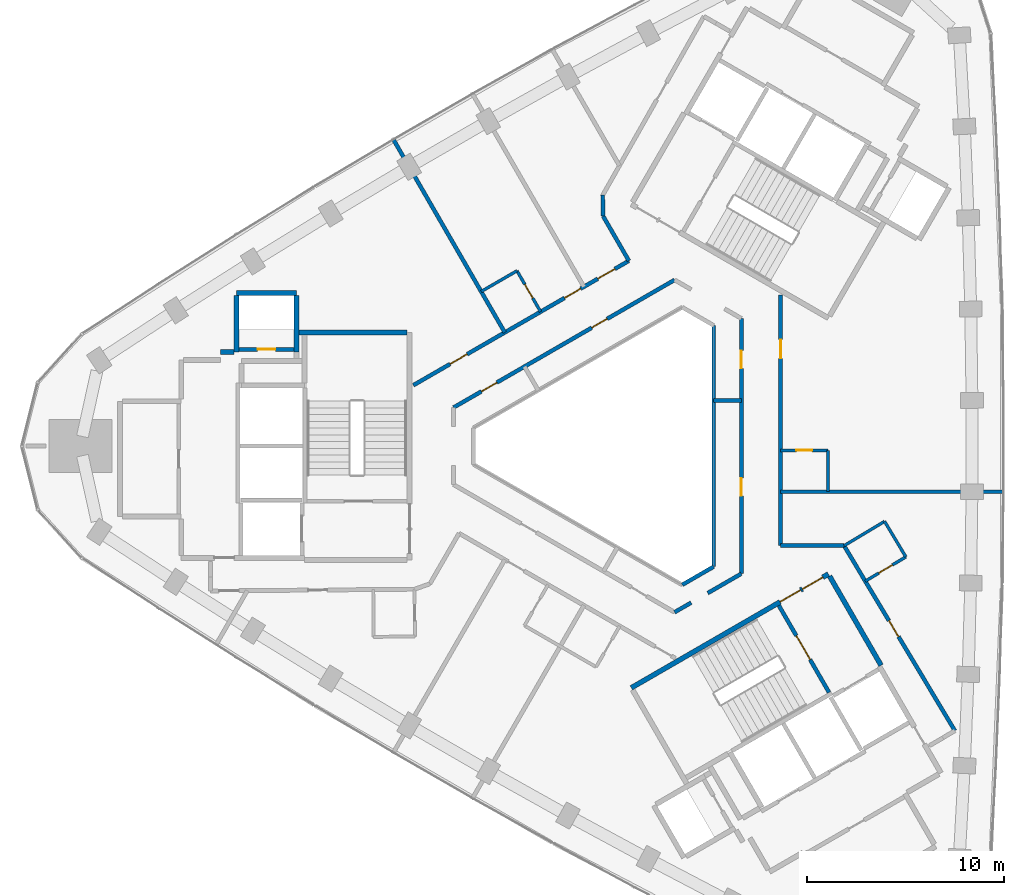
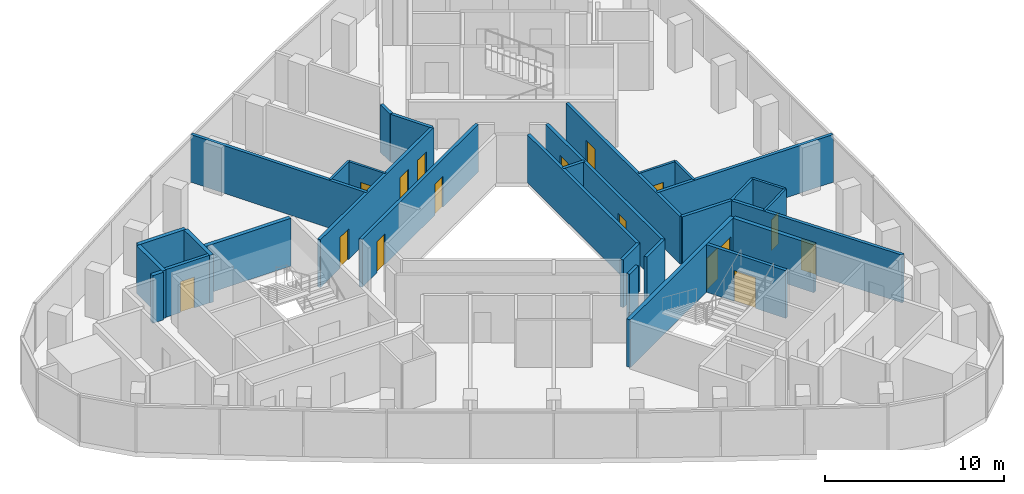
# One storey, part 9 of 12: 31 walls, 16 doors, 16 openings.
"""IFC4 building model written with IfcOpenShell, lengths in metres."""

from ifc_helpers import new_model, si_unit, direction, frame, frame_2d, origin, place, context, subcontext, project, spatial, rectangle, extrude, material, layer, layer_set, type_object, element, fill, save


model = new_model("IFC4")

# Units and contexts
model_context = context("Model", 3, precision=1e-05, world=origin(), true_north=direction((0.0, 1.0)))
body_context = subcontext(model_context, "Body", "Model", "MODEL_VIEW")
ifc_project = project(units=[si_unit("LENGTHUNIT", "METRE"), si_unit("AREAUNIT", "SQUARE_METRE"), si_unit("VOLUMEUNIT", "CUBIC_METRE"), si_unit("PLANEANGLEUNIT", "RADIAN"), si_unit("MASSUNIT", "GRAM", prefix="KILO")], contexts=[model_context])

# Site, building, storey
site_placement = place(None, origin())
site = spatial("IfcSite", under=ifc_project, at=site_placement, CompositionType="ELEMENT")
building_placement = place(site_placement, origin())
building = spatial("IfcBuilding", under=site, at=building_placement, Name="Tamra Quay Hotel Tower", CompositionType="ELEMENT")
storey_placement = place(building_placement, frame((0.0, 0.0, 179.199951171875)))
storey = spatial("IfcBuildingStorey", under=building, at=storey_placement, Name="L44", CompositionType="ELEMENT", Elevation=179.199951171875)

# Wall, opening, door
ifc_material_1 = material(Name="Concrete M70", Category="concrete")
ifc_layer_1 = layer(ifc_material_1, 0.199951171875)
ifc_layer_set_1 = layer_set([ifc_layer_1], Name="Concrete M70 core wall 200")
wall_type_1 = type_object("IfcWallType", Name="Concrete M70 core wall 200", PredefinedType="SHEAR", material=ifc_layer_set_1)
wall_1_placement = place(storey_placement, frame((-19.51123046875, 4.91015625, 0.0), z_axis=(0.0, 0.0, 1.0), x_axis=(1.0, 0.0, 0.0)))
wall_1 = element("IfcWall", 1, at=wall_1_placement, inside=storey, type_object=wall_type_1, Name="CW2", PredefinedType="SHEAR", context=body_context, shape_type="SweptSolid", body=[
    extrude(rectangle(XDim=2.7978515625, YDim=0.199951171875, at=frame_2d((1.39892578125, 0.0))), origin(), (0.0, 0.0, 1.0), 3.25),
])
opening_1_placement = place(wall_1_placement, frame((0.948974609375, 0.0, 0.0)))
opening_1 = element("IfcOpeningElement", 2, at=opening_1_placement, cuts=wall_1, Name="Opening D1", PredefinedType="OPENING", context=body_context, shape_type="SweptSolid", body=[
    extrude(rectangle(XDim=0.89990234375, YDim=2.10009765625, at=frame_2d((0.449951171875, 1.050048828125))), frame((0.0, 0.10986328125, 0.0), z_axis=(0.0, -1.0, 0.0), x_axis=(1.0, 0.0, 0.0)), (0.0, 0.0, 1.0), 0.219970703125),
])
ifc_material_2 = material(Name="Core door D1 900x2100 LH")
door_type_1 = type_object("IfcDoorType", Name="Core door D1 900x2100 LH", OperationType="NOTDEFINED", PredefinedType="DOOR", material=ifc_material_2)
door_1_placement = place(opening_1_placement, origin())
door_1 = element("IfcDoor", 3, at=door_1_placement, inside=storey, type_object=door_type_1, Name="D1", OperationType="SINGLE_SWING_LEFT", OverallHeight=2.10009765625, OverallWidth=0.89990234375, PredefinedType="DOOR", context=body_context, shape_type="SweptSolid", body=[
    extrude(rectangle(XDim=0.89990234375, YDim=2.10009765625, at=frame_2d((0.449951171875, 1.050048828125))), frame((0.0, 0.02490234375, 0.0), z_axis=(0.0, -1.0, 0.0), x_axis=(1.0, 0.0, 0.0)), (0.0, 0.0, 1.0), 0.050048828125),
])
fill(opening_1, door_1)

wall_2_placement = place(storey_placement, frame((7.906494140625, -8.094482421875, 0.0), z_axis=(0.0, 0.0, 1.0), x_axis=(0.500027839223, -0.866009330205, 0.0)))
wall_2 = element("IfcWall", 4, at=wall_2_placement, inside=storey, type_object=wall_type_1, Name="CW2", PredefinedType="SHEAR", context=body_context, shape_type="SweptSolid", body=[
    extrude(rectangle(XDim=5.097900390625, YDim=0.199951171875, at=frame_2d((2.548828125, 0.0))), origin(), (0.0, 0.0, 1.0), 3.25),
])
opening_2_placement = place(wall_2_placement, frame((1.77392578125, 0.0, 0.0)))
opening_2 = element("IfcOpeningElement", 5, at=opening_2_placement, cuts=wall_2, Name="Opening FD2", PredefinedType="OPENING", context=body_context, shape_type="SweptSolid", body=[
    extrude(rectangle(XDim=1.39990234375, YDim=2.10009765625, at=frame_2d((0.699951171875, 1.050048828125))), frame((0.0, 0.10986328125, 0.0), z_axis=(0.0, -1.0, 0.0), x_axis=(1.0, 0.0, 0.0)), (0.0, 0.0, 1.0), 0.219970703125),
])
ifc_material_3 = material(Name="Core door FD2 1400x2100 RH")
door_type_2 = type_object("IfcDoorType", Name="Core door FD2 1400x2100 RH", OperationType="NOTDEFINED", PredefinedType="DOOR", material=ifc_material_3)
door_2_placement = place(opening_2_placement, origin())
door_2 = element("IfcDoor", 6, at=door_2_placement, inside=storey, type_object=door_type_2, Name="FD2", OperationType="SINGLE_SWING_RIGHT", OverallHeight=2.10009765625, OverallWidth=1.39990234375, PredefinedType="DOOR", context=body_context, shape_type="SweptSolid", body=[
    extrude(rectangle(XDim=1.39990234375, YDim=2.10009765625, at=frame_2d((0.699951171875, 1.050048828125))), frame((0.0, 0.02490234375, 0.0), z_axis=(0.0, -1.0, 0.0), x_axis=(1.0, 0.0, 0.0)), (0.0, 0.0, 1.0), 0.050048828125),
])
fill(opening_2, door_2)

# Walls
ifc_layer_2 = layer(ifc_material_1, 0.25)
ifc_layer_set_2 = layer_set([ifc_layer_2], Name="Concrete M70 core wall 250")
wall_type_2 = type_object("IfcWallType", Name="Concrete M70 core wall 250", PredefinedType="SHEAR", material=ifc_layer_set_2)
wall_3_placement = place(storey_placement, frame((-16.47216796875, 5.77490234375, 0.0), z_axis=(0.0, 0.0, 1.0), x_axis=(1.0, 0.0, 0.0)))
element("IfcWall", 7, at=wall_3_placement, inside=storey, type_object=wall_type_2, Name="CW1", PredefinedType="SHEAR", context=body_context, shape_type="SweptSolid", body=[
    extrude(rectangle(XDim=5.509521484375, YDim=0.25, at=frame_2d((2.7548828125, 0.0))), origin(), (0.0, 0.0, 1.0), 3.25),
])
wall_4_placement = place(storey_placement, frame((-19.63720703125, 7.77490234375, 0.0), z_axis=(0.0, 0.0, 1.0), x_axis=(1.0, 0.0, 0.0)))
element("IfcWall", 8, at=wall_4_placement, inside=storey, type_object=wall_type_2, Name="CW1", PredefinedType="SHEAR", context=body_context, shape_type="SweptSolid", body=[
    extrude(rectangle(XDim=3.0498046875, YDim=0.25, at=frame_2d((1.52490234375, 0.0))), origin(), (0.0, 0.0, 1.0), 3.25),
])
for number, where, z_axis, x_axis, name in (
    (9, (-16.58740234375, 7.649658203125, 0.0), (0.0, 0.0, 1.0), (0.0, -1.0, 0.0), "CW1"),
    (10, (-19.63720703125, 4.784912109375, 0.0), (0.0, 0.0, 1.0), (0.0, 1.0, 0.0), "CW1"),
):
    element("IfcWall", number, at=place(storey_placement, frame(where, z_axis=z_axis, x_axis=x_axis)), inside=storey, type_object=wall_type_2, Name=name, PredefinedType="SHEAR", context=body_context, shape_type="SweptSolid", body=[
        extrude(rectangle(XDim=2.86474609375, YDim=0.25, at=frame_2d((1.432373046875, 0.0))), origin(), (0.0, 0.0, 1.0), 3.25),
    ])
wall_5_placement = place(storey_placement, frame((-20.447265625, 4.784912109375, 0.0), z_axis=(0.0, 0.0, 1.0), x_axis=(1.0, 0.0, 0.0)))
element("IfcWall", 11, at=wall_5_placement, inside=storey, type_object=wall_type_2, Name="CW1", PredefinedType="SHEAR", context=body_context, shape_type="SweptSolid", body=[
    extrude(rectangle(XDim=0.6845703125, YDim=0.25, at=frame_2d((0.34228515625, 0.0))), origin(), (0.0, 0.0, 1.0), 3.25),
])

# Wall, openings, doors
wall_6_placement = place(storey_placement, frame((0.417236328125, -12.27294921875, 0.0), z_axis=(0.0, 0.0, 1.0), x_axis=(0.866021906294, 0.500006057782, 0.0)))
wall_6 = element("IfcWall", 12, at=wall_6_placement, inside=storey, type_object=wall_type_2, Name="CW1", PredefinedType="SHEAR", context=body_context, shape_type="SweptSolid", body=[
    extrude(rectangle(XDim=11.550048828125, YDim=0.25, at=frame_2d((5.77490234375, 0.0))), origin(), (0.0, 0.0, 1.0), 3.25),
])
opening_3_placement = place(wall_6_placement, frame((10.024658203125, 0.0, 0.0)))
opening_3 = element("IfcOpeningElement", 13, at=opening_3_placement, cuts=wall_6, Name="Opening FD1", PredefinedType="OPENING", context=body_context, shape_type="SweptSolid", body=[
    extrude(rectangle(XDim=1.199951171875, YDim=2.10009765625, at=frame_2d((0.60009765625, 1.050048828125))), frame((0.0, 0.135009765625, 0.0), z_axis=(0.0, -1.0, 0.0), x_axis=(1.0, 0.0, 0.0)), (0.0, 0.0, 1.0), 0.27001953125),
])
opening_4_placement = place(wall_6_placement, frame((8.724609375, 0.0, 0.0)))
opening_4 = element("IfcOpeningElement", 14, at=opening_4_placement, cuts=wall_6, Name="Opening FD1", PredefinedType="OPENING", context=body_context, shape_type="SweptSolid", body=[
    extrude(rectangle(XDim=1.199951171875, YDim=2.10009765625, at=frame_2d((0.60009765625, 1.050048828125))), frame((0.0, 0.135009765625, 0.0), z_axis=(0.0, -1.0, 0.0), x_axis=(1.0, 0.0, 0.0)), (0.0, 0.0, 1.0), 0.27001953125),
])
ifc_material_4 = material(Name="Core door FD1 1200x2100 LH")
door_type_3 = type_object("IfcDoorType", Name="Core door FD1 1200x2100 LH", OperationType="NOTDEFINED", PredefinedType="DOOR", material=ifc_material_4)
door_3_placement = place(opening_3_placement, origin())
door_3 = element("IfcDoor", 15, at=door_3_placement, inside=storey, type_object=door_type_3, Name="FD1", OperationType="SINGLE_SWING_LEFT", OverallHeight=2.10009765625, OverallWidth=1.199951171875, PredefinedType="DOOR", context=body_context, shape_type="SweptSolid", body=[
    extrude(rectangle(XDim=1.199951171875, YDim=2.10009765625, at=frame_2d((0.60009765625, 1.050048828125))), frame((0.0, 0.02490234375, 0.0), z_axis=(0.0, -1.0, 0.0), x_axis=(1.0, 0.0, 0.0)), (0.0, 0.0, 1.0), 0.050048828125),
])
fill(opening_3, door_3)
ifc_material_5 = material(Name="Core door FD1 1200x2100 RH")
door_type_4 = type_object("IfcDoorType", Name="Core door FD1 1200x2100 RH", OperationType="NOTDEFINED", PredefinedType="DOOR", material=ifc_material_5)
door_4_placement = place(opening_4_placement, origin())
door_4 = element("IfcDoor", 16, at=door_4_placement, inside=storey, type_object=door_type_4, Name="FD1", OperationType="SINGLE_SWING_RIGHT", OverallHeight=2.10009765625, OverallWidth=1.199951171875, PredefinedType="DOOR", context=body_context, shape_type="SweptSolid", body=[
    extrude(rectangle(XDim=1.199951171875, YDim=2.10009765625, at=frame_2d((0.60009765625, 1.050048828125))), frame((0.0, 0.02490234375, 0.0), z_axis=(0.0, -1.0, 0.0), x_axis=(1.0, 0.0, 0.0)), (0.0, 0.0, 1.0), 0.050048828125),
])
fill(opening_4, door_4)

# Wall
wall_7_placement = place(storey_placement, frame((10.482666015625, -6.6064453125, 0.0), z_axis=(0.0, 0.0, 1.0), x_axis=(0.49999885962, -0.866026062182, 0.0)))
element("IfcWall", 17, at=wall_7_placement, inside=storey, type_object=wall_type_2, Name="CW1", PredefinedType="SHEAR", context=body_context, shape_type="SweptSolid", body=[
    extrude(rectangle(XDim=5.224609375, YDim=0.25, at=frame_2d((2.6123046875, 0.0))), origin(), (0.0, 0.0, 1.0), 3.25),
])

# Wall, openings, doors
ifc_material_6 = material(Name="Partition corridor wall")
ifc_layer_3 = layer(ifc_material_6, 0.199951171875)
ifc_layer_set_3 = layer_set([ifc_layer_3], Name="Partition corridor wall")
wall_type_3 = type_object("IfcWallType", Name="Partition corridor wall", PredefinedType="PARTITIONING", material=ifc_layer_set_3)
wall_8_placement = place(storey_placement, frame((-10.65234375, 3.087890625, 0.0), z_axis=(0.0, 0.0, 1.0), x_axis=(0.866031821623, 0.499988883812, 0.0)))
wall_8 = element("IfcWall", 18, at=wall_8_placement, inside=storey, type_object=wall_type_3, Name="W-C", PredefinedType="PARTITIONING", context=body_context, shape_type="SweptSolid", body=[
    extrude(rectangle(XDim=12.638427734375, YDim=0.199951171875, at=frame_2d((6.3193359375, 0.0))), origin(), (0.0, 0.0, 1.0), 3.25),
])
opening_5_placement = place(wall_8_placement, frame((10.8134765625, 0.0, 0.0)))
opening_5 = element("IfcOpeningElement", 19, at=opening_5_placement, cuts=wall_8, Name="Opening L44-D006", PredefinedType="OPENING", context=body_context, shape_type="SweptSolid", body=[
    extrude(rectangle(XDim=1.0, YDim=2.10009765625, at=frame_2d((0.5, 1.050048828125))), frame((0.0, 0.10986328125, 0.0), z_axis=(0.0, -1.0, 0.0), x_axis=(1.0, 0.0, 0.0)), (0.0, 0.0, 1.0), 0.219970703125),
])
opening_6_placement = place(wall_8_placement, frame((8.86181640625, 0.0, 0.0)))
opening_6 = element("IfcOpeningElement", 20, at=opening_6_placement, cuts=wall_8, Name="Opening L44-D007", PredefinedType="OPENING", context=body_context, shape_type="SweptSolid", body=[
    extrude(rectangle(XDim=0.949951171875, YDim=2.10009765625, at=frame_2d((0.47509765625, 1.050048828125))), frame((0.0, 0.10986328125, 0.0), z_axis=(0.0, -1.0, 0.0), x_axis=(1.0, 0.0, 0.0)), (0.0, 0.0, 1.0), 0.219970703125),
])
opening_7_placement = place(wall_8_placement, frame((2.152587890625, 0.0, 0.0)))
opening_7 = element("IfcOpeningElement", 21, at=opening_7_placement, cuts=wall_8, Name="Opening L44-D009", PredefinedType="OPENING", context=body_context, shape_type="SweptSolid", body=[
    extrude(rectangle(XDim=1.0, YDim=2.10009765625, at=frame_2d((0.5, 1.050048828125))), frame((0.0, 0.10986328125, 0.0), z_axis=(0.0, -1.0, 0.0), x_axis=(1.0, 0.0, 0.0)), (0.0, 0.0, 1.0), 0.219970703125),
])
ifc_material_7 = material(Name="Door guest room 1000x2100")
door_type_5 = type_object("IfcDoorType", Name="Door guest room 1000x2100", OperationType="NOTDEFINED", PredefinedType="DOOR", material=ifc_material_7)
door_5_placement = place(opening_5_placement, origin())
door_5 = element("IfcDoor", 22, at=door_5_placement, inside=storey, type_object=door_type_5, Name="L44-D006", OperationType="SINGLE_SWING_LEFT", OverallHeight=2.10009765625, OverallWidth=1.0, PredefinedType="DOOR", context=body_context, shape_type="SweptSolid", body=[
    extrude(rectangle(XDim=1.0, YDim=2.10009765625, at=frame_2d((0.5, 1.050048828125))), frame((0.0, 0.02490234375, 0.0), z_axis=(0.0, -1.0, 0.0), x_axis=(1.0, 0.0, 0.0)), (0.0, 0.0, 1.0), 0.050048828125),
])
fill(opening_5, door_5)
door_6_placement = place(opening_7_placement, origin())
door_6 = element("IfcDoor", 23, at=door_6_placement, inside=storey, type_object=door_type_5, Name="L44-D009", OperationType="SINGLE_SWING_LEFT", OverallHeight=2.10009765625, OverallWidth=1.0, PredefinedType="DOOR", context=body_context, shape_type="SweptSolid", body=[
    extrude(rectangle(XDim=1.0, YDim=2.10009765625, at=frame_2d((0.5, 1.050048828125))), frame((0.0, 0.02490234375, 0.0), z_axis=(0.0, -1.0, 0.0), x_axis=(1.0, 0.0, 0.0)), (0.0, 0.0, 1.0), 0.050048828125),
])
fill(opening_7, door_6)
ifc_material_8 = material(Name="Door guest room 950x2100")
door_type_6 = type_object("IfcDoorType", Name="Door guest room 950x2100", OperationType="NOTDEFINED", PredefinedType="DOOR", material=ifc_material_8)
door_7_placement = place(opening_6_placement, origin())
door_7 = element("IfcDoor", 24, at=door_7_placement, inside=storey, type_object=door_type_6, Name="L44-D007", OperationType="SINGLE_SWING_LEFT", OverallHeight=2.10009765625, OverallWidth=0.949951171875, PredefinedType="DOOR", context=body_context, shape_type="SweptSolid", body=[
    extrude(rectangle(XDim=0.949951171875, YDim=2.10009765625, at=frame_2d((0.47509765625, 1.050048828125))), frame((0.0, 0.02490234375, 0.0), z_axis=(0.0, -1.0, 0.0), x_axis=(1.0, 0.0, 0.0)), (0.0, 0.0, 1.0), 0.050048828125),
])
fill(opening_6, door_7)

wall_9_placement = place(storey_placement, frame((-8.612060546875, 1.9560546875, 0.0), z_axis=(0.0, 0.0, 1.0), x_axis=(0.866034386606, 0.499984440973, 0.0)))
wall_9 = element("IfcWall", 25, at=wall_9_placement, inside=storey, type_object=wall_type_3, Name="W-C", PredefinedType="PARTITIONING", context=body_context, shape_type="SweptSolid", body=[
    extrude(rectangle(XDim=12.96044921875, YDim=0.199951171875, at=frame_2d((6.480224609375, 0.0))), origin(), (0.0, 0.0, 1.0), 3.25),
])
opening_8_placement = place(wall_9_placement, frame((8.10498046875, 0.0, 0.0)))
opening_8 = element("IfcOpeningElement", 26, at=opening_8_placement, cuts=wall_9, Name="Opening L44-D019", PredefinedType="OPENING", context=body_context, shape_type="SweptSolid", body=[
    extrude(rectangle(XDim=0.89990234375, YDim=2.10009765625, at=frame_2d((0.449951171875, 1.050048828125))), frame((0.0, 0.10986328125, 0.0), z_axis=(0.0, -1.0, 0.0), x_axis=(1.0, 0.0, 0.0)), (0.0, 0.0, 1.0), 0.219970703125),
])
opening_9_placement = place(wall_9_placement, frame((1.63671875, 0.0, 0.0)))
opening_9 = element("IfcOpeningElement", 27, at=opening_9_placement, cuts=wall_9, Name="Opening L44-D020", PredefinedType="OPENING", context=body_context, shape_type="SweptSolid", body=[
    extrude(rectangle(XDim=0.89990234375, YDim=2.10009765625, at=frame_2d((0.449951171875, 1.050048828125))), frame((0.0, 0.10986328125, 0.0), z_axis=(0.0, -1.0, 0.0), x_axis=(1.0, 0.0, 0.0)), (0.0, 0.0, 1.0), 0.219970703125),
])
ifc_material_9 = material(Name="Door service room 900x2100")
door_type_7 = type_object("IfcDoorType", Name="Door service room 900x2100", OperationType="NOTDEFINED", PredefinedType="DOOR", material=ifc_material_9)
door_8_placement = place(opening_8_placement, frame((0.89990234375, 0.0, 0.0), z_axis=(0.0, 0.0, 1.0), x_axis=(-1.0, 0.0, 0.0)))
door_8 = element("IfcDoor", 28, at=door_8_placement, inside=storey, type_object=door_type_7, Name="L44-D019", OperationType="SINGLE_SWING_LEFT", OverallHeight=2.10009765625, OverallWidth=0.89990234375, PredefinedType="DOOR", context=body_context, shape_type="SweptSolid", body=[
    extrude(rectangle(XDim=0.89990234375, YDim=2.10009765625, at=frame_2d((0.449951171875, 1.050048828125))), frame((0.0, 0.02490234375, 0.0), z_axis=(0.0, -1.0, 0.0), x_axis=(1.0, 0.0, 0.0)), (0.0, 0.0, 1.0), 0.050048828125),
])
fill(opening_8, door_8)
door_9_placement = place(opening_9_placement, frame((0.89990234375, 0.0, 0.0), z_axis=(0.0, 0.0, 1.0), x_axis=(-1.0, 0.0, 0.0)))
door_9 = element("IfcDoor", 29, at=door_9_placement, inside=storey, type_object=door_type_7, Name="L44-D020", OperationType="SINGLE_SWING_LEFT", OverallHeight=2.10009765625, OverallWidth=0.89990234375, PredefinedType="DOOR", context=body_context, shape_type="SweptSolid", body=[
    extrude(rectangle(XDim=0.89990234375, YDim=2.10009765625, at=frame_2d((0.449951171875, 1.050048828125))), frame((0.0, 0.02490234375, 0.0), z_axis=(0.0, -1.0, 0.0), x_axis=(1.0, 0.0, 0.0)), (0.0, 0.0, 1.0), 0.050048828125),
])
fill(opening_9, door_9)

# Walls
wall_10_placement = place(storey_placement, frame((-1.037109375, 12.740966796875, 0.0), z_axis=(0.0, 0.0, 1.0), x_axis=(0.017040362824, -0.999854802476, 0.0)))
element("IfcWall", 30, at=wall_10_placement, inside=storey, type_object=wall_type_3, Name="W-C", PredefinedType="PARTITIONING", context=body_context, shape_type="SweptSolid", body=[
    extrude(rectangle(XDim=1.060302734375, YDim=0.199951171875, at=frame_2d((0.5302734375, 0.0))), origin(), (0.0, 0.0, 1.0), 3.25),
])
wall_11_placement = place(storey_placement, frame((-1.01904296875, 11.679931640625, 0.0), z_axis=(0.0, 0.0, 1.0), x_axis=(0.499921088291, -0.866070958688, 0.0)))
element("IfcWall", 31, at=wall_11_placement, inside=storey, type_object=wall_type_3, Name="W-C", PredefinedType="PARTITIONING", context=body_context, shape_type="SweptSolid", body=[
    extrude(rectangle(XDim=2.62451171875, YDim=0.199951171875, at=frame_2d((1.312255859375, 0.0))), origin(), (0.0, 0.0, 1.0), 3.25),
])
wall_12_placement = place(storey_placement, frame((2.6123046875, -8.4365234375, 0.0), z_axis=(0.0, 0.0, 1.0), x_axis=(0.866026830048, 0.499997529631, 0.0)))
element("IfcWall", 32, at=wall_12_placement, inside=storey, type_object=wall_type_3, Name="W-C", PredefinedType="PARTITIONING", context=body_context, shape_type="SweptSolid", body=[
    extrude(rectangle(XDim=0.97314453125, YDim=0.199951171875, at=frame_2d((0.486572265625, 0.0))), origin(), (0.0, 0.0, 1.0), 3.25),
])
wall_13_placement = place(storey_placement, frame((4.297119140625, -7.464111328125, 0.0), z_axis=(0.0, 0.0, 1.0), x_axis=(0.866026378386, 0.499998311937, 0.0)))
element("IfcWall", 33, at=wall_13_placement, inside=storey, type_object=wall_type_3, Name="W-C", PredefinedType="PARTITIONING", context=body_context, shape_type="SweptSolid", body=[
    extrude(rectangle(XDim=1.96630859375, YDim=0.199951171875, at=frame_2d((0.983154296875, 0.0))), origin(), (0.0, 0.0, 1.0), 3.25),
])

# Wall, openings, doors
wall_14_placement = place(storey_placement, frame((6.0, -6.48095703125, 0.0), z_axis=(0.0, 0.0, 1.0), x_axis=(0.0, 1.0, 0.0)))
wall_14 = element("IfcWall", 34, at=wall_14_placement, inside=storey, type_object=wall_type_3, Name="W-C", PredefinedType="PARTITIONING", context=body_context, shape_type="SweptSolid", body=[
    extrude(rectangle(XDim=12.9619140625, YDim=0.199951171875, at=frame_2d((6.48095703125, 0.0))), origin(), (0.0, 0.0, 1.0), 3.25),
])
opening_10_placement = place(wall_14_placement, frame((3.9560546875, 0.0, 0.0)))
opening_10 = element("IfcOpeningElement", 35, at=opening_10_placement, cuts=wall_14, Name="Opening L44-D017", PredefinedType="OPENING", context=body_context, shape_type="SweptSolid", body=[
    extrude(rectangle(XDim=0.89990234375, YDim=2.10009765625, at=frame_2d((0.449951171875, 1.050048828125))), frame((0.0, 0.10986328125, 0.0), z_axis=(0.0, -1.0, 0.0), x_axis=(1.0, 0.0, 0.0)), (0.0, 0.0, 1.0), 0.219970703125),
])
opening_11_placement = place(wall_14_placement, frame((10.425048828125, 0.0, 0.0)))
opening_11 = element("IfcOpeningElement", 36, at=opening_11_placement, cuts=wall_14, Name="Opening L44-D018", PredefinedType="OPENING", context=body_context, shape_type="SweptSolid", body=[
    extrude(rectangle(XDim=0.89990234375, YDim=2.10009765625, at=frame_2d((0.449951171875, 1.050048828125))), frame((0.0, 0.10986328125, 0.0), z_axis=(0.0, -1.0, 0.0), x_axis=(1.0, 0.0, 0.0)), (0.0, 0.0, 1.0), 0.219970703125),
])
door_10_placement = place(opening_10_placement, origin())
door_10 = element("IfcDoor", 37, at=door_10_placement, inside=storey, type_object=door_type_7, Name="L44-D017", OperationType="SINGLE_SWING_LEFT", OverallHeight=2.10009765625, OverallWidth=0.89990234375, PredefinedType="DOOR", context=body_context, shape_type="SweptSolid", body=[
    extrude(rectangle(XDim=0.89990234375, YDim=2.10009765625, at=frame_2d((0.449951171875, 1.050048828125))), frame((0.0, 0.02490234375, 0.0), z_axis=(0.0, -1.0, 0.0), x_axis=(1.0, 0.0, 0.0)), (0.0, 0.0, 1.0), 0.050048828125),
])
fill(opening_10, door_10)
door_11_placement = place(opening_11_placement, origin())
door_11 = element("IfcDoor", 38, at=door_11_placement, inside=storey, type_object=door_type_7, Name="L44-D018", OperationType="SINGLE_SWING_LEFT", OverallHeight=2.10009765625, OverallWidth=0.89990234375, PredefinedType="DOOR", context=body_context, shape_type="SweptSolid", body=[
    extrude(rectangle(XDim=0.89990234375, YDim=2.10009765625, at=frame_2d((0.449951171875, 1.050048828125))), frame((0.0, 0.02490234375, 0.0), z_axis=(0.0, -1.0, 0.0), x_axis=(1.0, 0.0, 0.0)), (0.0, 0.0, 1.0), 0.050048828125),
])
fill(opening_11, door_11)

# Wall, opening, door
wall_15_placement = place(storey_placement, frame((8.0, -5.05810546875, 0.0), z_axis=(0.0, 0.0, 1.0), x_axis=(0.0, 1.0, 0.0)))
wall_15 = element("IfcWall", 39, at=wall_15_placement, inside=storey, type_object=wall_type_3, Name="W-C", PredefinedType="PARTITIONING", context=body_context, shape_type="SweptSolid", body=[
    extrude(rectangle(XDim=12.739501953125, YDim=0.199951171875, at=frame_2d((6.36962890625, 0.0))), origin(), (0.0, 0.0, 1.0), 3.25),
])
opening_12_placement = place(wall_15_placement, frame((9.508056640625, 0.0, 0.0)))
opening_12 = element("IfcOpeningElement", 40, at=opening_12_placement, cuts=wall_15, Name="Opening L44-D003", PredefinedType="OPENING", context=body_context, shape_type="SweptSolid", body=[
    extrude(rectangle(XDim=0.949951171875, YDim=2.10009765625, at=frame_2d((0.47509765625, 1.050048828125))), frame((0.0, 0.10986328125, 0.0), z_axis=(0.0, -1.0, 0.0), x_axis=(1.0, 0.0, 0.0)), (0.0, 0.0, 1.0), 0.219970703125),
])
door_12_placement = place(opening_12_placement, frame((0.949951171875, 0.0, 0.0), z_axis=(0.0, 0.0, 1.0), x_axis=(-1.0, 0.0, 0.0)))
door_12 = element("IfcDoor", 41, at=door_12_placement, inside=storey, type_object=door_type_6, Name="L44-D003", OperationType="SINGLE_SWING_LEFT", OverallHeight=2.10009765625, OverallWidth=0.949951171875, PredefinedType="DOOR", context=body_context, shape_type="SweptSolid", body=[
    extrude(rectangle(XDim=0.949951171875, YDim=2.10009765625, at=frame_2d((0.47509765625, 1.050048828125))), frame((0.0, 0.02490234375, 0.0), z_axis=(0.0, -1.0, 0.0), x_axis=(1.0, 0.0, 0.0)), (0.0, 0.0, 1.0), 0.050048828125),
])
fill(opening_12, door_12)

# Wall
wall_16_placement = place(storey_placement, frame((8.0, -5.05810546875, 0.0), z_axis=(0.0, 0.0, 1.0), x_axis=(1.0, 0.0, 0.0)))
element("IfcWall", 42, at=wall_16_placement, inside=storey, type_object=wall_type_3, Name="W-C", PredefinedType="PARTITIONING", context=body_context, shape_type="SweptSolid", body=[
    extrude(rectangle(XDim=3.216064453125, YDim=0.199951171875, at=frame_2d((1.60791015625, 0.0))), origin(), (0.0, 0.0, 1.0), 3.25),
])

# Wall, opening, door
wall_17_placement = place(storey_placement, frame((11.216064453125, -5.05810546875, 0.0), z_axis=(0.0, 0.0, 1.0), x_axis=(0.51393500197, -0.857829128527, 0.0)))
wall_17 = element("IfcWall", 43, at=wall_17_placement, inside=storey, type_object=wall_type_3, Name="W-C", PredefinedType="PARTITIONING", context=body_context, shape_type="SweptSolid", body=[
    extrude(rectangle(XDim=10.95068359375, YDim=0.199951171875, at=frame_2d((5.475341796875, 0.0))), origin(), (0.0, 0.0, 1.0), 3.25),
])
opening_13_placement = place(wall_17_placement, frame((4.437744140625, 0.0, 0.0)))
opening_13 = element("IfcOpeningElement", 44, at=opening_13_placement, cuts=wall_17, Name="Opening L44-D001", PredefinedType="OPENING", context=body_context, shape_type="SweptSolid", body=[
    extrude(rectangle(XDim=0.949951171875, YDim=2.10009765625, at=frame_2d((0.47509765625, 1.050048828125))), frame((0.0, 0.10986328125, 0.0), z_axis=(0.0, -1.0, 0.0), x_axis=(1.0, 0.0, 0.0)), (0.0, 0.0, 1.0), 0.219970703125),
])
door_13_placement = place(opening_13_placement, origin())
door_13 = element("IfcDoor", 45, at=door_13_placement, inside=storey, type_object=door_type_6, Name="L44-D001", OperationType="SINGLE_SWING_LEFT", OverallHeight=2.10009765625, OverallWidth=0.949951171875, PredefinedType="DOOR", context=body_context, shape_type="SweptSolid", body=[
    extrude(rectangle(XDim=0.949951171875, YDim=2.10009765625, at=frame_2d((0.47509765625, 1.050048828125))), frame((0.0, 0.02490234375, 0.0), z_axis=(0.0, -1.0, 0.0), x_axis=(1.0, 0.0, 0.0)), (0.0, 0.0, 1.0), 0.050048828125),
])
fill(opening_13, door_13)

# Wall
ifc_material_10 = material(Name="Partition en-suite wall")
ifc_layer_4 = layer(ifc_material_10, 0.14990234375)
ifc_layer_set_4 = layer_set([ifc_layer_4], Name="Partition en-suite wall")
wall_type_4 = type_object("IfcWallType", Name="Partition en-suite wall", PredefinedType="PARTITIONING", material=ifc_layer_set_4)
wall_18_placement = place(storey_placement, frame((-7.2080078125, 7.846923828125, 0.0), z_axis=(0.0, 0.0, 1.0), x_axis=(0.865749785376, 0.500477081515, 0.0)))
element("IfcWall", 46, at=wall_18_placement, inside=storey, type_object=wall_type_4, Name="W-E", PredefinedType="PARTITIONING", context=body_context, shape_type="SweptSolid", body=[
    extrude(rectangle(XDim=2.10009765625, YDim=0.14990234375, at=frame_2d((1.050048828125, 0.0))), origin(), (0.0, 0.0, 1.0), 3.25),
])

# Wall, opening, door
wall_19_placement = place(storey_placement, frame((-5.389892578125, 8.89794921875, 0.0), z_axis=(0.0, 0.0, 1.0), x_axis=(0.500218298882, -0.865899332177, 0.0)))
wall_19 = element("IfcWall", 47, at=wall_19_placement, inside=storey, type_object=wall_type_4, Name="W-E", PredefinedType="PARTITIONING", context=body_context, shape_type="SweptSolid", body=[
    extrude(rectangle(XDim=2.40087890625, YDim=0.14990234375, at=frame_2d((1.200439453125, 0.0))), origin(), (0.0, 0.0, 1.0), 3.25),
])
opening_14_placement = place(wall_19_placement, frame((0.80078125, 0.0, 0.0)))
opening_14 = element("IfcOpeningElement", 48, at=opening_14_placement, cuts=wall_19, Name="Opening L44-D008", PredefinedType="OPENING", context=body_context, shape_type="SweptSolid", body=[
    extrude(rectangle(XDim=0.800048828125, YDim=2.10009765625, at=frame_2d((0.39990234375, 1.050048828125))), frame((0.0, 0.0849609375, 0.0), z_axis=(0.0, -1.0, 0.0), x_axis=(1.0, 0.0, 0.0)), (0.0, 0.0, 1.0), 0.169921875),
])
ifc_material_11 = material(Name="Door en-suite 800x2100")
door_type_8 = type_object("IfcDoorType", Name="Door en-suite 800x2100", OperationType="NOTDEFINED", PredefinedType="DOOR", material=ifc_material_11)
door_14_placement = place(opening_14_placement, origin())
door_14 = element("IfcDoor", 49, at=door_14_placement, inside=storey, type_object=door_type_8, Name="L44-D008", OperationType="SINGLE_SWING_LEFT", OverallHeight=2.10009765625, OverallWidth=0.800048828125, PredefinedType="DOOR", context=body_context, shape_type="SweptSolid", body=[
    extrude(rectangle(XDim=0.800048828125, YDim=2.10009765625, at=frame_2d((0.39990234375, 1.050048828125))), frame((0.0, 0.02490234375, 0.0), z_axis=(0.0, -1.0, 0.0), x_axis=(1.0, 0.0, 0.0)), (0.0, 0.0, 1.0), 0.050048828125),
])
fill(opening_14, door_14)

wall_20_placement = place(storey_placement, frame((8.0009765625, -0.218994140625, 0.0), z_axis=(0.0, 0.0, 1.0), x_axis=(1.0, 0.0, 0.0)))
wall_20 = element("IfcWall", 50, at=wall_20_placement, inside=storey, type_object=wall_type_4, Name="W-E", PredefinedType="PARTITIONING", context=body_context, shape_type="SweptSolid", body=[
    extrude(rectangle(XDim=2.39697265625, YDim=0.14990234375, at=frame_2d((1.198486328125, 0.0))), origin(), (0.0, 0.0, 1.0), 3.25),
])
opening_15_placement = place(wall_20_placement, frame((0.799072265625, 0.0, 0.0)))
opening_15 = element("IfcOpeningElement", 51, at=opening_15_placement, cuts=wall_20, Name="Opening L44-D004", PredefinedType="OPENING", context=body_context, shape_type="SweptSolid", body=[
    extrude(rectangle(XDim=0.800048828125, YDim=2.10009765625, at=frame_2d((0.39990234375, 1.050048828125))), frame((0.0, 0.0849609375, 0.0), z_axis=(0.0, -1.0, 0.0), x_axis=(1.0, 0.0, 0.0)), (0.0, 0.0, 1.0), 0.169921875),
])
door_15_placement = place(opening_15_placement, origin())
door_15 = element("IfcDoor", 52, at=door_15_placement, inside=storey, type_object=door_type_8, Name="L44-D004", OperationType="SINGLE_SWING_LEFT", OverallHeight=2.10009765625, OverallWidth=0.800048828125, PredefinedType="DOOR", context=body_context, shape_type="SweptSolid", body=[
    extrude(rectangle(XDim=0.800048828125, YDim=2.10009765625, at=frame_2d((0.39990234375, 1.050048828125))), frame((0.0, 0.02490234375, 0.0), z_axis=(0.0, -1.0, 0.0), x_axis=(1.0, 0.0, 0.0)), (0.0, 0.0, 1.0), 0.050048828125),
])
fill(opening_15, door_15)

# Walls
wall_21_placement = place(storey_placement, frame((10.39990234375, -2.318115234375, 0.0), z_axis=(0.0, 0.0, 1.0), x_axis=(0.0, 1.0, 0.0)))
element("IfcWall", 53, at=wall_21_placement, inside=storey, type_object=wall_type_4, Name="W-E", PredefinedType="PARTITIONING", context=body_context, shape_type="SweptSolid", body=[
    extrude(rectangle(XDim=2.09716796875, YDim=0.14990234375, at=frame_2d((1.048583984375, 0.0))), origin(), (0.0, 0.0, 1.0), 3.25),
])
wall_22_placement = place(storey_placement, frame((11.216064453125, -5.05810546875, 0.0), z_axis=(0.0, 0.0, 1.0), x_axis=(0.85788762415, 0.51383735202, 0.0)))
element("IfcWall", 54, at=wall_22_placement, inside=storey, type_object=wall_type_4, Name="W-E", PredefinedType="PARTITIONING", context=body_context, shape_type="SweptSolid", body=[
    extrude(rectangle(XDim=2.39990234375, YDim=0.14990234375, at=frame_2d((1.199951171875, 0.0))), origin(), (0.0, 0.0, 1.0), 3.25),
])

# Wall, opening, door
wall_23_placement = place(storey_placement, frame((12.294921875, -6.85888671875, 0.0), z_axis=(0.0, 0.0, 1.0), x_axis=(0.857959316897, 0.513717636985, 0.0)))
wall_23 = element("IfcWall", 55, at=wall_23_placement, inside=storey, type_object=wall_type_4, Name="W-E", PredefinedType="PARTITIONING", context=body_context, shape_type="SweptSolid", body=[
    extrude(rectangle(XDim=2.39990234375, YDim=0.14990234375, at=frame_2d((1.199951171875, 0.0))), origin(), (0.0, 0.0, 1.0), 3.25),
])
opening_16_placement = place(wall_23_placement, frame((0.7998046875, 0.0, 0.0)))
opening_16 = element("IfcOpeningElement", 56, at=opening_16_placement, cuts=wall_23, Name="Opening L44-D002", PredefinedType="OPENING", context=body_context, shape_type="SweptSolid", body=[
    extrude(rectangle(XDim=0.800048828125, YDim=2.10009765625, at=frame_2d((0.39990234375, 1.050048828125))), frame((0.0, 0.0849609375, 0.0), z_axis=(0.0, -1.0, 0.0), x_axis=(1.0, 0.0, 0.0)), (0.0, 0.0, 1.0), 0.169921875),
])
door_16_placement = place(opening_16_placement, frame((0.800048828125, 0.0, 0.0), z_axis=(0.0, 0.0, 1.0), x_axis=(-1.0, 0.0, 0.0)))
door_16 = element("IfcDoor", 57, at=door_16_placement, inside=storey, type_object=door_type_8, Name="L44-D002", OperationType="SINGLE_SWING_LEFT", OverallHeight=2.10009765625, OverallWidth=0.800048828125, PredefinedType="DOOR", context=body_context, shape_type="SweptSolid", body=[
    extrude(rectangle(XDim=0.800048828125, YDim=2.10009765625, at=frame_2d((0.39990234375, 1.050048828125))), frame((0.0, 0.02490234375, 0.0), z_axis=(0.0, -1.0, 0.0), x_axis=(1.0, 0.0, 0.0)), (0.0, 0.0, 1.0), 0.050048828125),
])
fill(opening_16, door_16)

# Walls
wall_24_placement = place(storey_placement, frame((13.27490234375, -3.824951171875, 0.0), z_axis=(0.0, 0.0, 1.0), x_axis=(0.513965548914, -0.857810826773, 0.0)))
element("IfcWall", 58, at=wall_24_placement, inside=storey, type_object=wall_type_4, Name="W-E", PredefinedType="PARTITIONING", context=body_context, shape_type="SweptSolid", body=[
    extrude(rectangle(XDim=2.099609375, YDim=0.14990234375, at=frame_2d((1.0498046875, 0.0))), origin(), (0.0, 0.0, 1.0), 3.25),
])
ifc_material_12 = material(Name="Partition party wall")
ifc_layer_5 = layer(ifc_material_12, 0.199951171875)
ifc_layer_set_5 = layer_set([ifc_layer_5], Name="Partition party wall")
wall_type_5 = type_object("IfcWallType", Name="Partition party wall", PredefinedType="PARTITIONING", material=ifc_layer_set_5)
wall_25_placement = place(storey_placement, frame((-11.661376953125, 15.560546875, 0.0), z_axis=(0.0, 0.0, 1.0), x_axis=(0.499987250653, -0.866032764498, 0.0)))
element("IfcWall", 59, at=wall_25_placement, inside=storey, type_object=wall_type_5, Name="W-P", PredefinedType="PARTITIONING", context=body_context, shape_type="SweptSolid", body=[
    extrude(rectangle(XDim=11.306396484375, YDim=0.199951171875, at=frame_2d((5.6533203125, 0.0))), origin(), (0.0, 0.0, 1.0), 3.25),
])
wall_26_placement = place(storey_placement, frame((3.000244140625, -7.04443359375, 0.0), z_axis=(0.0, 0.0, 1.0), x_axis=(0.865875248522, 0.500259986404, 0.0)))
element("IfcWall", 60, at=wall_26_placement, inside=storey, type_object=wall_type_5, Name="W-P", PredefinedType="PARTITIONING", context=body_context, shape_type="SweptSolid", body=[
    extrude(rectangle(XDim=1.84765625, YDim=0.199951171875, at=frame_2d((0.923828125, 0.0))), origin(), (0.0, 0.0, 1.0), 3.25),
])
wall_27_placement = place(storey_placement, frame((4.60009765625, -6.1201171875, 0.0), z_axis=(0.0, 0.0, 1.0), x_axis=(0.0, 1.0, 0.0)))
element("IfcWall", 61, at=wall_27_placement, inside=storey, type_object=wall_type_5, Name="W-P", PredefinedType="PARTITIONING", context=body_context, shape_type="SweptSolid", body=[
    extrude(rectangle(XDim=12.240234375, YDim=0.199951171875, at=frame_2d((6.1201171875, 0.0))), origin(), (0.0, 0.0, 1.0), 3.25),
])
wall_28_placement = place(storey_placement, frame((4.60009765625, 2.319091796875, 0.0), z_axis=(0.0, 0.0, 1.0), x_axis=(1.0, 0.0, 0.0)))
element("IfcWall", 62, at=wall_28_placement, inside=storey, type_object=wall_type_5, Name="W-P", PredefinedType="PARTITIONING", context=body_context, shape_type="SweptSolid", body=[
    extrude(rectangle(XDim=1.39990234375, YDim=0.199951171875, at=frame_2d((0.699951171875, 0.0))), origin(), (0.0, 0.0, 1.0), 3.25),
])
wall_29_placement = place(storey_placement, frame((8.0, -2.319091796875, 0.0), z_axis=(0.0, 0.0, 1.0), x_axis=(1.0, 0.0, 0.0)))
element("IfcWall", 63, at=wall_29_placement, inside=storey, type_object=wall_type_5, Name="W-P", PredefinedType="PARTITIONING", context=body_context, shape_type="SweptSolid", body=[
    extrude(rectangle(XDim=11.306396484375, YDim=0.199951171875, at=frame_2d((5.6533203125, 0.0))), origin(), (0.0, 0.0, 1.0), 3.25),
])

save(model, "model.ifc")
